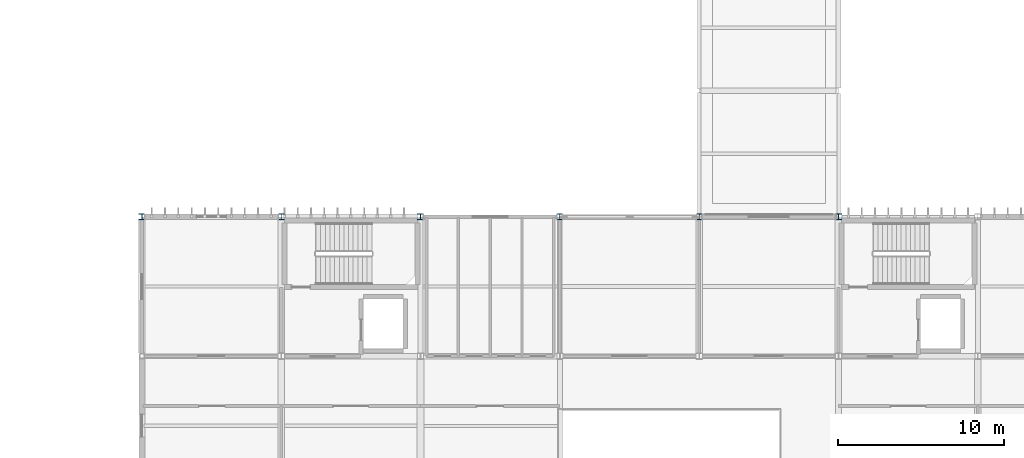
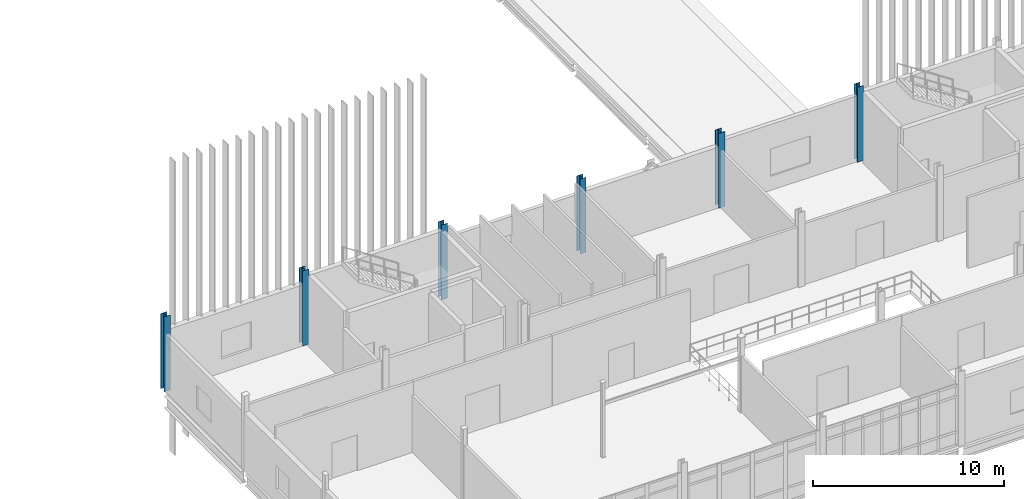
# One storey, part 3 of 72: 6 columns.
"""IFC4 building model written with IfcOpenShell, lengths in metres."""

from ifc_helpers import new_model, si_unit, direction, frame, origin, origin_2d, place, context, subcontext, project, spatial, i_section, extrude, material, material_profile, profile_set, type_object, element, save


model = new_model("IFC4")

# Units and contexts
model_context = context("Model", 3, precision=1e-05, world=origin(), true_north=direction((0.0, 1.0)))
body_context = subcontext(model_context, "Body", "Model", "MODEL_VIEW")
ifc_project = project(units=[si_unit("LENGTHUNIT", "METRE"), si_unit("AREAUNIT", "SQUARE_METRE"), si_unit("VOLUMEUNIT", "CUBIC_METRE"), si_unit("PLANEANGLEUNIT", "RADIAN"), si_unit("MASSUNIT", "GRAM", prefix="KILO")], contexts=[model_context])

# Site, building, storey
site_placement = place(None, origin())
site = spatial("IfcSite", under=ifc_project, at=site_placement, CompositionType="ELEMENT")
building_placement = place(site_placement, origin())
building = spatial("IfcBuilding", under=site, at=building_placement, Name="Calvrana Isthmian Art Gallery", CompositionType="ELEMENT")
storey_placement = place(building_placement, frame((0.0, 0.0, 15.0)))
storey = spatial("IfcBuildingStorey", under=building, at=storey_placement, Name="L03", CompositionType="ELEMENT", Elevation=15.0)

# Columns
ifc_material = material(Name="Steel ASTM A992 Gr 50", Category="steel")
ifc_material_profile_1 = material_profile(ifc_material, i_section(OverallWidth=0.37109375, OverallDepth=0.363037109375, WebThickness=0.01318359375, FlangeThickness=0.021728515625, FilletRadius=0.02490234375, at=origin_2d()), Name="W14X109")
ifc_profile_set_1 = profile_set([ifc_material_profile_1], Name="Steel ASTM A992 Gr 50")
column_type_1 = type_object("IfcColumnType", Name="COL-STL-W14X109", PredefinedType="COLUMN", material=ifc_profile_set_1)
column_1_placement = place(storey_placement, frame((38.39990234375, 46.800048828125, 0.0), z_axis=(0.0, 0.0, 1.0), x_axis=(1.0, 0.0, 0.0)))
element("IfcColumn", 1, at=column_1_placement, inside=storey, type_object=column_type_1, Name="Column 06/G L03", PredefinedType="COLUMN", context=body_context, shape_type="SweptSolid", body=[
    extrude(i_section(OverallWidth=0.37109375, OverallDepth=0.363037109375, WebThickness=0.01318359375, FlangeThickness=0.021728515625, FilletRadius=0.02490234375, at=origin_2d()), origin(), (0.0, 0.0, 1.0), 4.800048828125),
])
ifc_material_profile_2 = material_profile(ifc_material, i_section(OverallWidth=0.373046875, OverallDepth=0.367919921875, WebThickness=0.014892578125, FlangeThickness=0.02392578125, FilletRadius=0.02490234375, at=origin_2d()), Name="W14X120")
ifc_profile_set_2 = profile_set([ifc_material_profile_2], Name="Steel ASTM A992 Gr 50")
column_type_2 = type_object("IfcColumnType", Name="COL-STL-W14X120", PredefinedType="COLUMN", material=ifc_profile_set_2)
for number, where, z_axis, x_axis, name in (
    (2, (30.0, 46.800048828125, 0.0), (0.0, 0.0, 1.0), (1.0, 0.0, 0.0), "Column 05/G L03"),
    (3, (63.60009765625, 46.800048828125, 0.0), (0.0, 0.0, 1.0), (1.0, 0.0, 0.0), "Column 09/G L03"),
):
    element("IfcColumn", number, at=place(storey_placement, frame(where, z_axis=z_axis, x_axis=x_axis)), inside=storey, type_object=column_type_2, Name=name, PredefinedType="COLUMN", context=body_context, shape_type="SweptSolid", body=[
        extrude(i_section(OverallWidth=0.373046875, OverallDepth=0.367919921875, WebThickness=0.014892578125, FlangeThickness=0.02392578125, FilletRadius=0.02490234375, at=origin_2d()), origin(), (0.0, 0.0, 1.0), 4.800048828125),
    ])
ifc_material_profile_3 = material_profile(ifc_material, i_section(OverallWidth=0.373046875, OverallDepth=0.373046875, WebThickness=0.016357421875, FlangeThickness=0.026123046875, FilletRadius=0.02490234375, at=origin_2d()), Name="W14X132")
ifc_profile_set_3 = profile_set([ifc_material_profile_3], Name="Steel ASTM A992 Gr 50")
column_type_3 = type_object("IfcColumnType", Name="COL-STL-W14X132", PredefinedType="COLUMN", material=ifc_profile_set_3)
for number, where, z_axis, x_axis, name in (
    (4, (21.60009765625, 46.800048828125, 0.0), (0.0, 0.0, 1.0), (1.0, 0.0, 0.0), "Column 04/G L03"),
    (5, (55.199951171875, 46.800048828125, 0.0), (0.0, 0.0, 1.0), (1.0, 0.0, 0.0), "Column 08/G L03"),
):
    element("IfcColumn", number, at=place(storey_placement, frame(where, z_axis=z_axis, x_axis=x_axis)), inside=storey, type_object=column_type_3, Name=name, PredefinedType="COLUMN", context=body_context, shape_type="SweptSolid", body=[
        extrude(i_section(OverallWidth=0.373046875, OverallDepth=0.373046875, WebThickness=0.016357421875, FlangeThickness=0.026123046875, FilletRadius=0.02490234375, at=origin_2d()), origin(), (0.0, 0.0, 1.0), 4.800048828125),
    ])
ifc_material_profile_4 = material_profile(ifc_material, i_section(OverallWidth=0.367919921875, OverallDepth=0.35595703125, WebThickness=0.01123046875, FlangeThickness=0.01806640625, FilletRadius=0.02490234375, at=origin_2d()), Name="W14X90")
ifc_profile_set_4 = profile_set([ifc_material_profile_4], Name="Steel ASTM A992 Gr 50")
column_type_4 = type_object("IfcColumnType", Name="COL-STL-W14X90", PredefinedType="COLUMN", material=ifc_profile_set_4)
column_2_placement = place(storey_placement, frame((46.800048828125, 46.800048828125, 0.0), z_axis=(0.0, 0.0, 1.0), x_axis=(1.0, 0.0, 0.0)))
element("IfcColumn", 6, at=column_2_placement, inside=storey, type_object=column_type_4, Name="Column 07/G L03", PredefinedType="COLUMN", context=body_context, shape_type="SweptSolid", body=[
    extrude(i_section(OverallWidth=0.367919921875, OverallDepth=0.35595703125, WebThickness=0.01123046875, FlangeThickness=0.01806640625, FilletRadius=0.02490234375, at=origin_2d()), origin(), (0.0, 0.0, 1.0), 4.800048828125),
])

save(model, "model.ifc")
